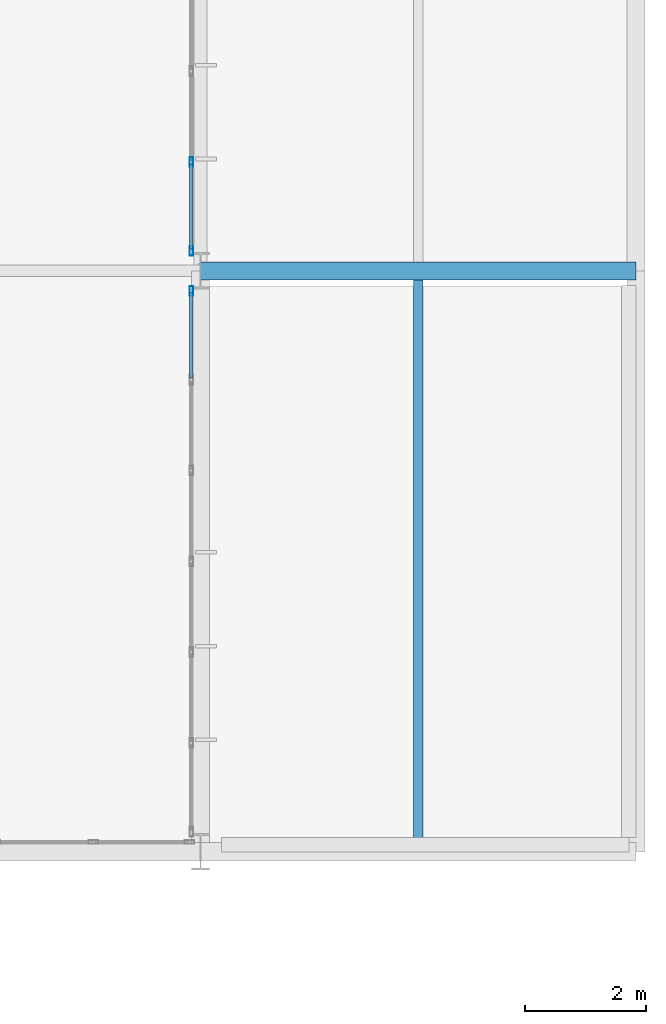
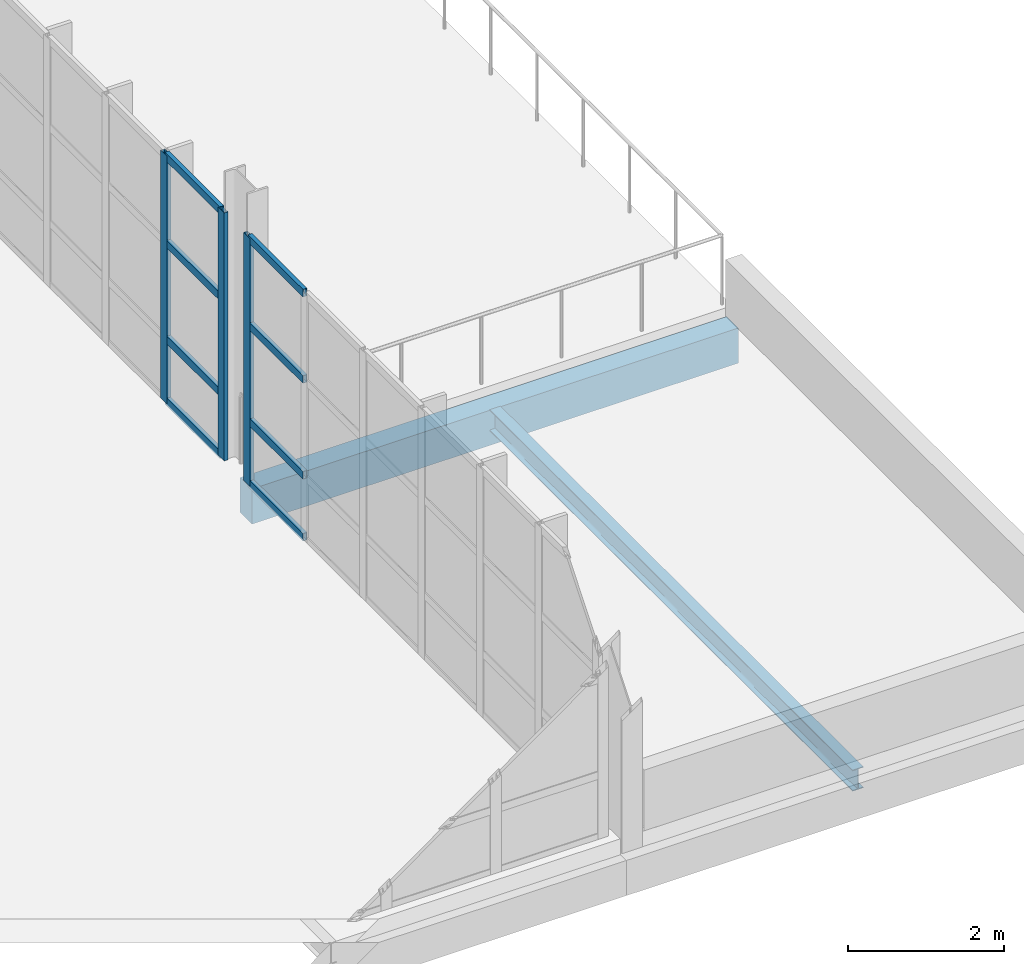
# One storey, part 67 of 109: 11 members, 2 beams, 2 elements without a shape of their own.
"""IFC4 building model written with IfcOpenShell, lengths in metres."""

from ifc_helpers import new_model, si_unit, direction, frame, origin, origin_2d, place, context, subcontext, project, spatial, rectangle, hollow_rectangle, i_section, extrude, material, material_profile, profile_set, type_object, element, aggregate, save


model = new_model("IFC4")

# Units and contexts
model_context = context("Model", 3, precision=1e-05, world=origin(), true_north=direction((0.0, 1.0)))
body_context = subcontext(model_context, "Body", "Model", "MODEL_VIEW")
ifc_project = project(units=[si_unit("LENGTHUNIT", "METRE"), si_unit("AREAUNIT", "SQUARE_METRE"), si_unit("VOLUMEUNIT", "CUBIC_METRE"), si_unit("PLANEANGLEUNIT", "RADIAN"), si_unit("MASSUNIT", "GRAM", prefix="KILO")], contexts=[model_context])

# Site, building, storey
site_placement = place(None, origin())
site = spatial("IfcSite", under=ifc_project, at=site_placement, CompositionType="ELEMENT")
building_placement = place(site_placement, origin())
building = spatial("IfcBuilding", under=site, at=building_placement, Name="Veltarok Museum of Natural Sciences", CompositionType="ELEMENT")
storey_placement = place(building_placement, frame((0.0, 0.0, 17.39990234375)))
storey = spatial("IfcBuildingStorey", under=building, at=storey_placement, Name="L03", CompositionType="ELEMENT", Elevation=17.39990234375)

# Curtain wall, members
ifc_material_1 = material(Name="Low-iron triple insulated glass", Category="glass")
curtain_wall_type_1 = type_object("IfcCurtainWallType", Name="Curtain Wall System CW-V5E-L03-A-900x388 (V5 East Lab L03 A-B 900x388cm)", PredefinedType="NOTDEFINED", material=ifc_material_1)
curtain_wall_1_placement = place(storey_placement, origin())
curtain_wall_1 = element("IfcCurtainWall", 1, at=curtain_wall_1_placement, inside=storey, type_object=curtain_wall_type_1, Name="Curtain Wall CW-V5E-L03-A-900x388 CW-0115", PredefinedType="NOTDEFINED")
ifc_material_2 = material(Name="Thermally broken anodised aluminium", Category="aluminium")
ifc_material_profile_1 = material_profile(ifc_material_2, hollow_rectangle(XDim=0.06005859375, YDim=0.1201171875, WallThickness=0.0048828125, at=origin_2d()), Name="CW TRANSOM 60x120x5")
ifc_profile_set_1 = profile_set([ifc_material_profile_1], Name="Thermally broken anodised aluminium")
member_type_1 = type_object("IfcMemberType", Name="Curtain Wall Horizontal Transom 60x120x5", PredefinedType="USERDEFINED", material=ifc_profile_set_1)
member_1_placement = place(storey_placement, frame((157.449951171875, 7.830078125, 0.030029296875), z_axis=(0.0, 1.0, 0.0), x_axis=(-1.0, 0.0, 0.0)))
member_1 = element("IfcMember", 2, at=member_1_placement, type_object=member_type_1, Name="CW-V5E-L03-A-900x388 transom 6.1", ObjectType="TRANSOM", PredefinedType="USERDEFINED", context=body_context, shape_type="SweptSolid", body=[
    extrude(hollow_rectangle(XDim=0.06005859375, YDim=0.1201171875, WallThickness=0.0048828125, at=origin_2d()), origin(), (0.0, 0.0, 1.0), 1.409912109375),
])
member_2_placement = place(storey_placement, frame((157.449951171875, 7.830078125, 1.0), z_axis=(0.0, 1.0, 0.0), x_axis=(-1.0, 0.0, 0.0)))
member_2 = element("IfcMember", 3, at=member_2_placement, type_object=member_type_1, Name="CW-V5E-L03-A-900x388 transom 6.2", ObjectType="TRANSOM", PredefinedType="USERDEFINED", context=body_context, shape_type="SweptSolid", body=[
    extrude(hollow_rectangle(XDim=0.06005859375, YDim=0.1201171875, WallThickness=0.0048828125, at=origin_2d()), origin(), (0.0, 0.0, 1.0), 1.409912109375),
])
member_3_placement = place(storey_placement, frame((157.449951171875, 7.830078125, 2.5), z_axis=(0.0, 1.0, 0.0), x_axis=(-1.0, 0.0, 0.0)))
member_3 = element("IfcMember", 4, at=member_3_placement, type_object=member_type_1, Name="CW-V5E-L03-A-900x388 transom 6.3", ObjectType="TRANSOM", PredefinedType="USERDEFINED", context=body_context, shape_type="SweptSolid", body=[
    extrude(hollow_rectangle(XDim=0.06005859375, YDim=0.1201171875, WallThickness=0.0048828125, at=origin_2d()), origin(), (0.0, 0.0, 1.0), 1.409912109375),
])
member_4_placement = place(storey_placement, frame((157.449951171875, 7.830078125, 3.85009765625), z_axis=(0.0, 1.0, 0.0), x_axis=(-1.0, 0.0, 0.0)))
member_4 = element("IfcMember", 5, at=member_4_placement, type_object=member_type_1, Name="CW-V5E-L03-A-900x388 transom 6.4", ObjectType="TRANSOM", PredefinedType="USERDEFINED", context=body_context, shape_type="SweptSolid", body=[
    extrude(hollow_rectangle(XDim=0.06005859375, YDim=0.1201171875, WallThickness=0.0048828125, at=origin_2d()), origin(), (0.0, 0.0, 1.0), 1.409912109375),
])

curtain_wall_type_2 = type_object("IfcCurtainWallType", Name="Curtain Wall System CW-V5E-L03-B-900x388 (V5 East Lab L03 B-C 900x388cm)", PredefinedType="NOTDEFINED", material=ifc_material_1)
curtain_wall_2_placement = place(storey_placement, origin())
curtain_wall_2 = element("IfcCurtainWall", 6, at=curtain_wall_2_placement, inside=storey, type_object=curtain_wall_type_2, Name="Curtain Wall CW-V5E-L03-B-900x388 CW-0116", PredefinedType="NOTDEFINED")
member_5_placement = place(storey_placement, frame((157.449951171875, 9.9599609375, 0.030029296875), z_axis=(0.0, 1.0, 0.0), x_axis=(-1.0, 0.0, 0.0)))
member_5 = element("IfcMember", 7, at=member_5_placement, type_object=member_type_1, Name="CW-V5E-L03-B-900x388 transom 1.1", ObjectType="TRANSOM", PredefinedType="USERDEFINED", context=body_context, shape_type="SweptSolid", body=[
    extrude(hollow_rectangle(XDim=0.06005859375, YDim=0.1201171875, WallThickness=0.0048828125, at=origin_2d()), origin(), (0.0, 0.0, 1.0), 1.41015625),
])
member_6_placement = place(storey_placement, frame((157.449951171875, 9.9599609375, 1.0), z_axis=(0.0, 1.0, 0.0), x_axis=(-1.0, 0.0, 0.0)))
member_6 = element("IfcMember", 8, at=member_6_placement, type_object=member_type_1, Name="CW-V5E-L03-B-900x388 transom 1.2", ObjectType="TRANSOM", PredefinedType="USERDEFINED", context=body_context, shape_type="SweptSolid", body=[
    extrude(hollow_rectangle(XDim=0.06005859375, YDim=0.1201171875, WallThickness=0.0048828125, at=origin_2d()), origin(), (0.0, 0.0, 1.0), 1.41015625),
])
member_7_placement = place(storey_placement, frame((157.449951171875, 9.9599609375, 2.5), z_axis=(0.0, 1.0, 0.0), x_axis=(-1.0, 0.0, 0.0)))
member_7 = element("IfcMember", 9, at=member_7_placement, type_object=member_type_1, Name="CW-V5E-L03-B-900x388 transom 1.3", ObjectType="TRANSOM", PredefinedType="USERDEFINED", context=body_context, shape_type="SweptSolid", body=[
    extrude(hollow_rectangle(XDim=0.06005859375, YDim=0.1201171875, WallThickness=0.0048828125, at=origin_2d()), origin(), (0.0, 0.0, 1.0), 1.41015625),
])
member_8_placement = place(storey_placement, frame((157.449951171875, 9.9599609375, 3.85009765625), z_axis=(0.0, 1.0, 0.0), x_axis=(-1.0, 0.0, 0.0)))
member_8 = element("IfcMember", 10, at=member_8_placement, type_object=member_type_1, Name="CW-V5E-L03-B-900x388 transom 1.4", ObjectType="TRANSOM", PredefinedType="USERDEFINED", context=body_context, shape_type="SweptSolid", body=[
    extrude(hollow_rectangle(XDim=0.06005859375, YDim=0.1201171875, WallThickness=0.0048828125, at=origin_2d()), origin(), (0.0, 0.0, 1.0), 1.41015625),
])

# Member
ifc_material_profile_2 = material_profile(ifc_material_2, hollow_rectangle(XDim=0.06005859375, YDim=0.159912109375, WallThickness=0.0048828125, at=origin_2d()), Name="CW MULLION 60x160x5")
ifc_profile_set_2 = profile_set([ifc_material_profile_2], Name="Thermally broken anodised aluminium")
member_type_2 = type_object("IfcMemberType", Name="Curtain Wall Vertical Mullion 60x160x5", PredefinedType="MULLION", material=ifc_profile_set_2)
member_9_placement = place(storey_placement, frame((157.449951171875, 9.27001953125, 0.0), z_axis=(0.0, 0.0, 1.0), x_axis=(-1.0, 0.0, 0.0)))
member_9 = element("IfcMember", 11, at=member_9_placement, type_object=member_type_2, Name="CW-V5E-L03-A-900x388 mullion 7", PredefinedType="MULLION", context=body_context, shape_type="SweptSolid", body=[
    extrude(hollow_rectangle(XDim=0.06005859375, YDim=0.159912109375, WallThickness=0.0048828125, at=origin_2d()), origin(), (0.0, 0.0, 1.0), 3.880126953125),
])

aggregate(curtain_wall_1, [member_9, member_1, member_2, member_3, member_4])

member_10_placement = place(storey_placement, frame((157.449951171875, 9.929931640625, 0.0), z_axis=(0.0, 0.0, 1.0), x_axis=(-1.0, 0.0, 0.0)))
member_10 = element("IfcMember", 12, at=member_10_placement, type_object=member_type_2, Name="CW-V5E-L03-B-900x388 mullion 1", PredefinedType="MULLION", context=body_context, shape_type="SweptSolid", body=[
    extrude(hollow_rectangle(XDim=0.06005859375, YDim=0.159912109375, WallThickness=0.0048828125, at=origin_2d()), origin(), (0.0, 0.0, 1.0), 3.880126953125),
])

member_11_placement = place(storey_placement, frame((157.449951171875, 11.39990234375, 0.0), z_axis=(0.0, 0.0, 1.0), x_axis=(-1.0, 0.0, 0.0)))
member_11 = element("IfcMember", 13, at=member_11_placement, type_object=member_type_2, Name="CW-V5E-L03-B-900x388 mullion 2", PredefinedType="MULLION", context=body_context, shape_type="SweptSolid", body=[
    extrude(hollow_rectangle(XDim=0.06005859375, YDim=0.159912109375, WallThickness=0.0048828125, at=origin_2d()), origin(), (0.0, 0.0, 1.0), 3.880126953125),
])

aggregate(curtain_wall_2, [member_10, member_11, member_5, member_6, member_7, member_8])

# Beams
ifc_material_3 = material(Name="Precast concrete C40/50", Category="concrete")
ifc_material_profile_3 = material_profile(ifc_material_3, rectangle(XDim=0.300048828125, YDim=0.550048828125, at=origin_2d()), Name="RC 300x550")
ifc_profile_set_3 = profile_set([ifc_material_profile_3], Name="Precast concrete C40/50")
beam_type_1 = type_object("IfcBeamType", Name="East Wing Precast Spandrel RC 300x550", PredefinedType="SPANDREL", material=ifc_profile_set_3)
beam_1_placement = place(storey_placement, frame((157.60009765625, 9.60009765625, -0.534912109375), z_axis=(1.0, 0.0, 0.0), x_axis=(0.0, 1.0, 0.0)))
element("IfcBeam", 14, at=beam_1_placement, inside=storey, type_object=beam_type_1, Name="Beam BM-SP02 L03 19-20/B", PredefinedType="SPANDREL", context=body_context, shape_type="SweptSolid", body=[
    extrude(rectangle(XDim=0.300048828125, YDim=0.550048828125, at=origin_2d()), origin(), (0.0, 0.0, 1.0), 7.199951171875),
])
ifc_material_4 = material(Name="Steel S355J2", Category="steel")
ifc_material_profile_4 = material_profile(ifc_material_4, i_section(OverallWidth=0.159912109375, OverallDepth=0.330078125, WebThickness=0.007568359375, FlangeThickness=0.011474609375, FilletRadius=0.01806640625, at=origin_2d()), Name="IPE 330")
ifc_profile_set_4 = profile_set([ifc_material_profile_4], Name="Steel S355J2")
beam_type_2 = type_object("IfcBeamType", Name="Medium-Bay Composite Joist IPE 330", PredefinedType="JOIST", material=ifc_profile_set_4)
beam_2_placement = place(storey_placement, frame((161.199951171875, 0.14794921875, -0.414794921875), z_axis=(0.0, 1.0, 0.0), x_axis=(-1.0, 0.0, 0.0)))
element("IfcBeam", 15, at=beam_2_placement, inside=storey, type_object=beam_type_2, Name="Secondary Joist BM-J02 L03 19-20/A-B.1", PredefinedType="JOIST", context=body_context, shape_type="SweptSolid", body=[
    extrude(i_section(OverallWidth=0.159912109375, OverallDepth=0.330078125, WebThickness=0.007568359375, FlangeThickness=0.011474609375, FilletRadius=0.01806640625, at=origin_2d()), origin(), (0.0, 0.0, 1.0), 9.303955078125),
])

save(model, "model.ifc")
